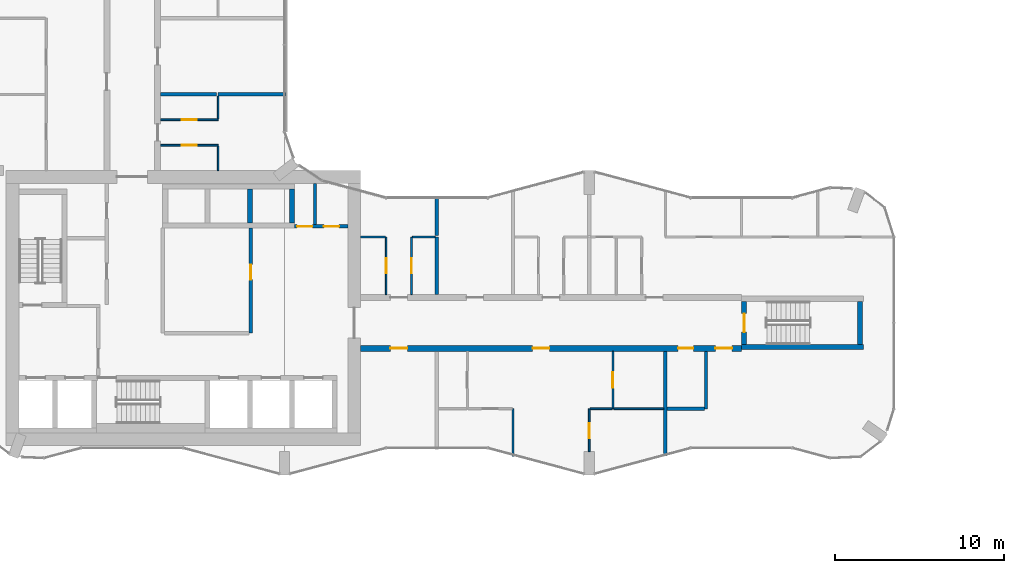
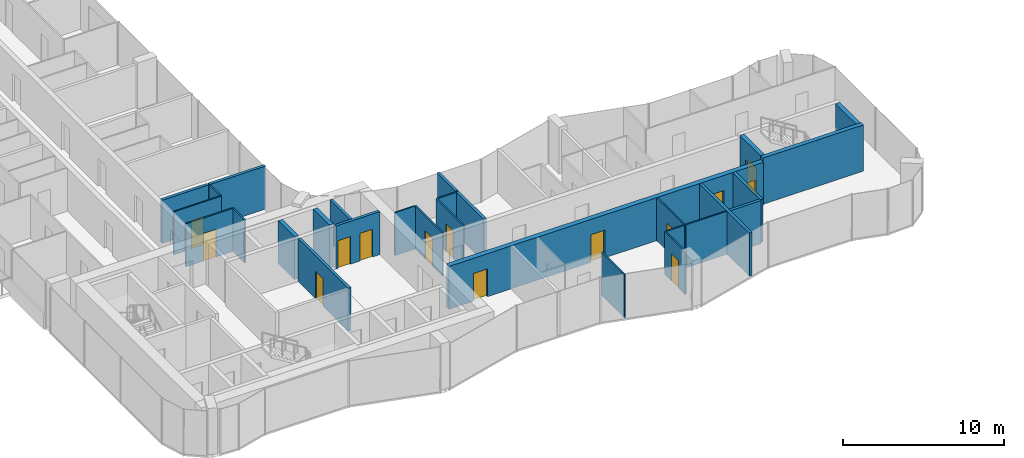
# One storey, part 15 of 24: 29 walls, 14 doors, 14 openings.
"""IFC4 building model written with IfcOpenShell, lengths in metres."""

from ifc_helpers import new_model, si_unit, direction, frame, frame_2d, origin, place, context, subcontext, project, spatial, rectangle, extrude, material, layer, layer_set, type_object, element, fill, save


model = new_model("IFC4")

# Units and contexts
model_context = context("Model", 3, precision=1e-05, world=origin(), true_north=direction((0.0, 1.0)))
body_context = subcontext(model_context, "Body", "Model", "MODEL_VIEW")
ifc_project = project(units=[si_unit("LENGTHUNIT", "METRE"), si_unit("AREAUNIT", "SQUARE_METRE"), si_unit("VOLUMEUNIT", "CUBIC_METRE"), si_unit("PLANEANGLEUNIT", "RADIAN"), si_unit("MASSUNIT", "GRAM", prefix="KILO")], contexts=[model_context])

# Site, building, storey
site_placement = place(None, origin())
site = spatial("IfcSite", under=ifc_project, at=site_placement, CompositionType="ELEMENT")
building_placement = place(site_placement, origin())
building = spatial("IfcBuilding", under=site, at=building_placement, Name="Plateau Cross Towers", CompositionType="ELEMENT")
storey_placement = place(building_placement, frame((0.0, 0.0, 51.300048828125)))
storey = spatial("IfcBuildingStorey", under=building, at=storey_placement, Name="L12", CompositionType="ELEMENT", Elevation=51.300048828125)

# Wall, opening, door
ifc_material_1 = material(Name="Concrete block, plastered both sides", Category="concrete")
ifc_layer_1 = layer(ifc_material_1, 0.199951171875)
ifc_layer_set_1 = layer_set([ifc_layer_1], Name="Concrete block, plastered both sides")
wall_type_1 = type_object("IfcWallType", Name="Core partition 200", PredefinedType="PARTITIONING", material=ifc_layer_set_1)
wall_1_placement = place(storey_placement, frame((16.0, 8.39990234375, 0.0), z_axis=(0.0, 0.0, 1.0), x_axis=(0.0, 1.0, 0.0)))
wall_1 = element("IfcWall", 1, at=wall_1_placement, inside=storey, type_object=wall_type_1, Name="Core partition", PredefinedType="PARTITIONING", context=body_context, shape_type="SweptSolid", body=[
    extrude(rectangle(XDim=6.2001953125, YDim=0.199951171875, at=frame_2d((3.10009765625, 0.0))), origin(), (0.0, 0.0, 1.0), 3.25),
])
opening_1_placement = place(wall_1_placement, frame((3.14990234375, 0.0, 0.0)))
opening_1 = element("IfcOpeningElement", 2, at=opening_1_placement, cuts=wall_1, Name="Opening RD1", PredefinedType="OPENING", context=body_context, shape_type="SweptSolid", body=[
    extrude(rectangle(XDim=0.89990234375, YDim=2.10009765625, at=frame_2d((0.449951171875, 1.050048828125))), frame((0.0, 0.10986328125, 0.0), z_axis=(0.0, -1.0, 0.0), x_axis=(1.0, 0.0, 0.0)), (0.0, 0.0, 1.0), 0.219970703125),
])
ifc_material_2 = material(Name="Timber, fire-resisting leaf", Category="wood")
door_type_1 = type_object("IfcDoorType", Name="Core service door 900", OperationType="NOTDEFINED", PredefinedType="DOOR", material=ifc_material_2)
door_1_placement = place(opening_1_placement, origin())
door_1 = element("IfcDoor", 3, at=door_1_placement, inside=storey, type_object=door_type_1, Name="Core service door RD1", OperationType="SINGLE_SWING_LEFT", OverallHeight=2.10009765625, OverallWidth=0.89990234375, PredefinedType="DOOR", context=body_context, shape_type="SweptSolid", body=[
    extrude(rectangle(XDim=0.89990234375, YDim=2.10009765625, at=frame_2d((0.449951171875, 1.050048828125))), frame((0.0, 0.02490234375, 0.0), z_axis=(0.0, -1.0, 0.0), x_axis=(1.0, 0.0, 0.0)), (0.0, 0.0, 1.0), 0.050048828125),
])
fill(opening_1, door_1)

# Wall, openings, doors
wall_2_placement = place(storey_placement, frame((18.60009765625, 14.699951171875, 0.0), z_axis=(0.0, 0.0, 1.0), x_axis=(1.0, 0.0, 0.0)))
wall_2 = element("IfcWall", 4, at=wall_2_placement, inside=storey, type_object=wall_type_1, Name="Core partition", PredefinedType="PARTITIONING", context=body_context, shape_type="SweptSolid", body=[
    extrude(rectangle(XDim=3.14990234375, YDim=0.199951171875, at=frame_2d((1.574951171875, 0.0))), origin(), (0.0, 0.0, 1.0), 3.25),
])
opening_2_placement = place(wall_2_placement, frame((0.14990234375, 0.0, 0.0)))
opening_2 = element("IfcOpeningElement", 5, at=opening_2_placement, cuts=wall_2, Name="Opening RD2", PredefinedType="OPENING", context=body_context, shape_type="SweptSolid", body=[
    extrude(rectangle(XDim=0.89990234375, YDim=2.10009765625, at=frame_2d((0.449951171875, 1.050048828125))), frame((0.0, 0.10986328125, 0.0), z_axis=(0.0, -1.0, 0.0), x_axis=(1.0, 0.0, 0.0)), (0.0, 0.0, 1.0), 0.219970703125),
])
opening_3_placement = place(wall_2_placement, frame((1.72509765625, 0.0, 0.0)))
opening_3 = element("IfcOpeningElement", 6, at=opening_3_placement, cuts=wall_2, Name="Opening RD2", PredefinedType="OPENING", context=body_context, shape_type="SweptSolid", body=[
    extrude(rectangle(XDim=0.89990234375, YDim=2.10009765625, at=frame_2d((0.449951171875, 1.050048828125))), frame((0.0, 0.10986328125, 0.0), z_axis=(0.0, -1.0, 0.0), x_axis=(1.0, 0.0, 0.0)), (0.0, 0.0, 1.0), 0.219970703125),
])
ifc_material_3 = material(Name="Steel, fire-resisting leaf", Category="steel")
door_type_2 = type_object("IfcDoorType", Name="Core riser door 900", OperationType="NOTDEFINED", PredefinedType="DOOR", material=ifc_material_3)
door_2_placement = place(opening_2_placement, origin())
door_2 = element("IfcDoor", 7, at=door_2_placement, inside=storey, type_object=door_type_2, Name="Core riser door RD2", OperationType="SINGLE_SWING_LEFT", OverallHeight=2.10009765625, OverallWidth=0.89990234375, PredefinedType="DOOR", context=body_context, shape_type="SweptSolid", body=[
    extrude(rectangle(XDim=0.89990234375, YDim=2.10009765625, at=frame_2d((0.449951171875, 1.050048828125))), frame((0.0, 0.02490234375, 0.0), z_axis=(0.0, -1.0, 0.0), x_axis=(1.0, 0.0, 0.0)), (0.0, 0.0, 1.0), 0.050048828125),
])
fill(opening_2, door_2)
door_3_placement = place(opening_3_placement, origin())
door_3 = element("IfcDoor", 8, at=door_3_placement, inside=storey, type_object=door_type_2, Name="Core riser door RD2", OperationType="SINGLE_SWING_LEFT", OverallHeight=2.10009765625, OverallWidth=0.89990234375, PredefinedType="DOOR", context=body_context, shape_type="SweptSolid", body=[
    extrude(rectangle(XDim=0.89990234375, YDim=2.10009765625, at=frame_2d((0.449951171875, 1.050048828125))), frame((0.0, 0.02490234375, 0.0), z_axis=(0.0, -1.0, 0.0), x_axis=(1.0, 0.0, 0.0)), (0.0, 0.0, 1.0), 0.050048828125),
])
fill(opening_3, door_3)

# Walls
wall_3_placement = place(storey_placement, frame((19.800048828125, 14.800048828125, 0.0), z_axis=(0.0, 0.0, 1.0), x_axis=(0.0, 1.0, 0.0)))
element("IfcWall", 9, at=wall_3_placement, inside=storey, type_object=wall_type_1, Name="Core partition", PredefinedType="PARTITIONING", context=body_context, shape_type="SweptSolid", body=[
    extrude(rectangle(XDim=2.449951171875, YDim=0.199951171875, at=frame_2d((1.22509765625, 0.0))), origin(), (0.0, 0.0, 1.0), 3.25),
])
ifc_material_4 = material(Name="Concrete C60/75", Category="concrete")
ifc_layer_2 = layer(ifc_material_4, 0.300048828125)
ifc_layer_set_2 = layer_set([ifc_layer_2], Name="Concrete C60/75")
wall_type_2 = type_object("IfcWallType", Name="Core shaft wall 300", PredefinedType="SHEAR", material=ifc_layer_set_2)
for number, where, z_axis, x_axis, name in (
    (10, (15.949951171875, 14.89990234375, 0.0), (0.0, 0.0, 1.0), (0.0, 1.0, 0.0), "A-nb-v3@L12"),
    (11, (18.449951171875, 14.89990234375, 0.0), (0.0, 0.0, 1.0), (0.0, 1.0, 0.0), "A-nb-v4@L12"),
):
    element("IfcWall", number, at=place(storey_placement, frame(where, z_axis=z_axis, x_axis=x_axis)), inside=storey, type_object=wall_type_2, Name=name, PredefinedType="SHEAR", context=body_context, shape_type="SweptSolid", body=[
        extrude(rectangle(XDim=2.0, YDim=0.300048828125, at=frame_2d((1.0, 0.0))), origin(), (0.0, 0.0, 1.0), 3.25),
    ])

# Wall, openings, doors
ifc_layer_3 = layer(ifc_material_4, 0.35009765625)
ifc_layer_set_3 = layer_set([ifc_layer_3], Name="Concrete C60/75")
wall_type_3 = type_object("IfcWallType", Name="Corridor wall 350", PredefinedType="SHEAR", material=ifc_layer_set_3)
wall_4_placement = place(storey_placement, frame((22.5, 7.5, 0.0), z_axis=(0.0, 0.0, 1.0), x_axis=(1.0, 0.0, 0.0)))
wall_4 = element("IfcWall", 12, at=wall_4_placement, inside=storey, type_object=wall_type_3, Name="A-cw-S1@L12", PredefinedType="SHEAR", context=body_context, shape_type="SweptSolid", body=[
    extrude(rectangle(XDim=22.5, YDim=0.35009765625, at=frame_2d((11.25, 0.0))), origin(), (0.0, 0.0, 1.0), 3.25),
])
opening_4_placement = place(wall_4_placement, frame((1.75, 0.0, 0.0)))
opening_4 = element("IfcOpeningElement", 13, at=opening_4_placement, cuts=wall_4, Name="Opening 12-01", PredefinedType="OPENING", context=body_context, shape_type="SweptSolid", body=[
    extrude(rectangle(XDim=1.0, YDim=2.10009765625, at=frame_2d((0.5, 1.050048828125))), frame((0.0, 0.18505859375, 0.0), z_axis=(0.0, -1.0, 0.0), x_axis=(1.0, 0.0, 0.0)), (0.0, 0.0, 1.0), 0.3701171875),
])
opening_5_placement = place(wall_4_placement, frame((10.14990234375, 0.0, 0.0)))
opening_5 = element("IfcOpeningElement", 14, at=opening_5_placement, cuts=wall_4, Name="Opening 12-02", PredefinedType="OPENING", context=body_context, shape_type="SweptSolid", body=[
    extrude(rectangle(XDim=1.0, YDim=2.10009765625, at=frame_2d((0.5, 1.050048828125))), frame((0.0, 0.18505859375, 0.0), z_axis=(0.0, -1.0, 0.0), x_axis=(1.0, 0.0, 0.0)), (0.0, 0.0, 1.0), 0.3701171875),
])
opening_6_placement = place(wall_4_placement, frame((18.75, 0.0, 0.0)))
opening_6 = element("IfcOpeningElement", 15, at=opening_6_placement, cuts=wall_4, Name="Opening 12-03", PredefinedType="OPENING", context=body_context, shape_type="SweptSolid", body=[
    extrude(rectangle(XDim=0.89990234375, YDim=2.10009765625, at=frame_2d((0.449951171875, 1.050048828125))), frame((0.0, 0.18505859375, 0.0), z_axis=(0.0, -1.0, 0.0), x_axis=(1.0, 0.0, 0.0)), (0.0, 0.0, 1.0), 0.3701171875),
])
opening_7_placement = place(wall_4_placement, frame((20.949951171875, 0.0, 0.0)))
opening_7 = element("IfcOpeningElement", 16, at=opening_7_placement, cuts=wall_4, Name="Opening 12-04", PredefinedType="OPENING", context=body_context, shape_type="SweptSolid", body=[
    extrude(rectangle(XDim=1.0, YDim=2.10009765625, at=frame_2d((0.5, 1.050048828125))), frame((0.0, 0.18505859375, 0.0), z_axis=(0.0, -1.0, 0.0), x_axis=(1.0, 0.0, 0.0)), (0.0, 0.0, 1.0), 0.3701171875),
])
door_type_3 = type_object("IfcDoorType", Name="Flat entrance door 1000", OperationType="NOTDEFINED", PredefinedType="DOOR", material=ifc_material_2)
door_4_placement = place(opening_4_placement, origin())
door_4 = element("IfcDoor", 17, at=door_4_placement, inside=storey, type_object=door_type_3, Name="Door 12-01", OperationType="SINGLE_SWING_LEFT", OverallHeight=2.10009765625, OverallWidth=1.0, PredefinedType="DOOR", context=body_context, shape_type="SweptSolid", body=[
    extrude(rectangle(XDim=1.0, YDim=2.10009765625, at=frame_2d((0.5, 1.050048828125))), frame((0.0, 0.02490234375, 0.0), z_axis=(0.0, -1.0, 0.0), x_axis=(1.0, 0.0, 0.0)), (0.0, 0.0, 1.0), 0.050048828125),
])
fill(opening_4, door_4)
door_5_placement = place(opening_5_placement, origin())
door_5 = element("IfcDoor", 18, at=door_5_placement, inside=storey, type_object=door_type_3, Name="Door 12-02", OperationType="SINGLE_SWING_LEFT", OverallHeight=2.10009765625, OverallWidth=1.0, PredefinedType="DOOR", context=body_context, shape_type="SweptSolid", body=[
    extrude(rectangle(XDim=1.0, YDim=2.10009765625, at=frame_2d((0.5, 1.050048828125))), frame((0.0, 0.02490234375, 0.0), z_axis=(0.0, -1.0, 0.0), x_axis=(1.0, 0.0, 0.0)), (0.0, 0.0, 1.0), 0.050048828125),
])
fill(opening_5, door_5)
door_6_placement = place(opening_7_placement, origin())
door_6 = element("IfcDoor", 19, at=door_6_placement, inside=storey, type_object=door_type_3, Name="Door 12-04", OperationType="SINGLE_SWING_RIGHT", OverallHeight=2.10009765625, OverallWidth=1.0, PredefinedType="DOOR", context=body_context, shape_type="SweptSolid", body=[
    extrude(rectangle(XDim=1.0, YDim=2.10009765625, at=frame_2d((0.5, 1.050048828125))), frame((0.0, 0.02490234375, 0.0), z_axis=(0.0, -1.0, 0.0), x_axis=(1.0, 0.0, 0.0)), (0.0, 0.0, 1.0), 0.050048828125),
])
fill(opening_7, door_6)
door_type_4 = type_object("IfcDoorType", Name="Flat floor service door 900", OperationType="NOTDEFINED", PredefinedType="DOOR", material=ifc_material_2)
door_7_placement = place(opening_6_placement, origin())
door_7 = element("IfcDoor", 20, at=door_7_placement, inside=storey, type_object=door_type_4, Name="Door 12-03", OperationType="SINGLE_SWING_RIGHT", OverallHeight=2.10009765625, OverallWidth=0.89990234375, PredefinedType="DOOR", context=body_context, shape_type="SweptSolid", body=[
    extrude(rectangle(XDim=0.89990234375, YDim=2.10009765625, at=frame_2d((0.449951171875, 1.050048828125))), frame((0.0, 0.02490234375, 0.0), z_axis=(0.0, -1.0, 0.0), x_axis=(1.0, 0.0, 0.0)), (0.0, 0.0, 1.0), 0.050048828125),
])
fill(opening_6, door_7)

# Walls
ifc_material_5 = material(Name="Gypsum board on steel studs", Category="steel")
ifc_layer_4 = layer(ifc_material_5, 0.10009765625)
ifc_layer_set_4 = layer_set([ifc_layer_4], Name="Gypsum board on steel studs")
wall_type_4 = type_object("IfcWallType", Name="Flat partition 100", PredefinedType="PARTITIONING", material=ifc_layer_set_4)
wall_5_placement = place(storey_placement, frame((37.35009765625, 3.925048828125, 0.0), z_axis=(0.0, 0.0, 1.0), x_axis=(-1.0, 0.0, 0.0)))
element("IfcWall", 21, at=wall_5_placement, inside=storey, type_object=wall_type_4, Name="Partition wall", PredefinedType="PARTITIONING", context=body_context, shape_type="SweptSolid", body=[
    extrude(rectangle(XDim=1.300048828125, YDim=0.10009765625, at=frame_2d((0.64990234375, 0.0))), origin(), (0.0, 0.0, 1.0), 3.25),
])
wall_6_placement = place(storey_placement, frame((37.449951171875, 3.925048828125, 0.0), z_axis=(0.0, 0.0, 1.0), x_axis=(1.0, 0.0, 0.0)))
element("IfcWall", 22, at=wall_6_placement, inside=storey, type_object=wall_type_4, Name="Partition wall", PredefinedType="PARTITIONING", context=body_context, shape_type="SweptSolid", body=[
    extrude(rectangle(XDim=2.949951171875, YDim=0.10009765625, at=frame_2d((1.47509765625, 0.0))), origin(), (0.0, 0.0, 1.0), 3.25),
])
wall_7_placement = place(storey_placement, frame((23.949951171875, 14.074951171875, 0.0), z_axis=(0.0, 0.0, 1.0), x_axis=(-1.0, 0.0, 0.0)))
element("IfcWall", 23, at=wall_7_placement, inside=storey, type_object=wall_type_4, Name="Partition wall", PredefinedType="PARTITIONING", context=body_context, shape_type="SweptSolid", body=[
    extrude(rectangle(XDim=1.449951171875, YDim=0.10009765625, at=frame_2d((0.72509765625, 0.0))), origin(), (0.0, 0.0, 1.0), 3.25),
])
wall_8_placement = place(storey_placement, frame((26.89990234375, 14.074951171875, 0.0), z_axis=(0.0, 0.0, 1.0), x_axis=(-1.0, 0.0, 0.0)))
element("IfcWall", 24, at=wall_8_placement, inside=storey, type_object=wall_type_4, Name="Partition wall", PredefinedType="PARTITIONING", context=body_context, shape_type="SweptSolid", body=[
    extrude(rectangle(XDim=1.349853515625, YDim=0.10009765625, at=frame_2d((0.6748046875, 0.0))), origin(), (0.0, 0.0, 1.0), 3.25),
])

# Wall, opening, door
wall_9_placement = place(storey_placement, frame((14.074951171875, 19.5, 0.0), z_axis=(0.0, 0.0, 1.0), x_axis=(-1.0, 0.0, 0.0)))
wall_9 = element("IfcWall", 25, at=wall_9_placement, inside=storey, type_object=wall_type_4, Name="Partition wall", PredefinedType="PARTITIONING", context=body_context, shape_type="SweptSolid", body=[
    extrude(rectangle(XDim=3.39990234375, YDim=0.10009765625, at=frame_2d((1.699951171875, 0.0))), origin(), (0.0, 0.0, 1.0), 3.25),
])
opening_8_placement = place(wall_9_placement, frame((1.25, 0.0, 0.0)))
opening_8 = element("IfcOpeningElement", 26, at=opening_8_placement, cuts=wall_9, Name="Opening 12-40", PredefinedType="OPENING", context=body_context, shape_type="SweptSolid", body=[
    extrude(rectangle(XDim=0.89990234375, YDim=2.10009765625, at=frame_2d((0.449951171875, 1.050048828125))), frame((0.0, 0.06005859375, 0.0), z_axis=(0.0, -1.0, 0.0), x_axis=(1.0, 0.0, 0.0)), (0.0, 0.0, 1.0), 0.1201171875),
])
ifc_material_6 = material(Name="Timber leaf", Category="wood")
door_type_5 = type_object("IfcDoorType", Name="Flat room door 900", OperationType="NOTDEFINED", PredefinedType="DOOR", material=ifc_material_6)
door_8_placement = place(opening_8_placement, origin())
door_8 = element("IfcDoor", 27, at=door_8_placement, inside=storey, type_object=door_type_5, Name="Door 12-40", OperationType="SINGLE_SWING_RIGHT", OverallHeight=2.10009765625, OverallWidth=0.89990234375, PredefinedType="DOOR", context=body_context, shape_type="SweptSolid", body=[
    extrude(rectangle(XDim=0.89990234375, YDim=2.10009765625, at=frame_2d((0.449951171875, 1.050048828125))), frame((0.0, 0.02490234375, 0.0), z_axis=(0.0, -1.0, 0.0), x_axis=(1.0, 0.0, 0.0)), (0.0, 0.0, 1.0), 0.050048828125),
])
fill(opening_8, door_8)

wall_10_placement = place(storey_placement, frame((10.675048828125, 21.0, 0.0), z_axis=(0.0, 0.0, 1.0), x_axis=(1.0, 0.0, 0.0)))
wall_10 = element("IfcWall", 28, at=wall_10_placement, inside=storey, type_object=wall_type_4, Name="Partition wall", PredefinedType="PARTITIONING", context=body_context, shape_type="SweptSolid", body=[
    extrude(rectangle(XDim=3.39990234375, YDim=0.10009765625, at=frame_2d((1.699951171875, 0.0))), origin(), (0.0, 0.0, 1.0), 3.25),
])
opening_9_placement = place(wall_10_placement, frame((1.25, 0.0, 0.0)))
opening_9 = element("IfcOpeningElement", 29, at=opening_9_placement, cuts=wall_10, Name="Opening 12-41", PredefinedType="OPENING", context=body_context, shape_type="SweptSolid", body=[
    extrude(rectangle(XDim=0.89990234375, YDim=2.10009765625, at=frame_2d((0.449951171875, 1.050048828125))), frame((0.0, 0.06005859375, 0.0), z_axis=(0.0, -1.0, 0.0), x_axis=(1.0, 0.0, 0.0)), (0.0, 0.0, 1.0), 0.1201171875),
])
door_9_placement = place(opening_9_placement, origin())
door_9 = element("IfcDoor", 30, at=door_9_placement, inside=storey, type_object=door_type_5, Name="Door 12-41", OperationType="SINGLE_SWING_RIGHT", OverallHeight=2.10009765625, OverallWidth=0.89990234375, PredefinedType="DOOR", context=body_context, shape_type="SweptSolid", body=[
    extrude(rectangle(XDim=0.89990234375, YDim=2.10009765625, at=frame_2d((0.449951171875, 1.050048828125))), frame((0.0, 0.02490234375, 0.0), z_axis=(0.0, -1.0, 0.0), x_axis=(1.0, 0.0, 0.0)), (0.0, 0.0, 1.0), 0.050048828125),
])
fill(opening_9, door_9)

# Walls
wall_11_placement = place(storey_placement, frame((14.074951171875, 18.0, 0.0), z_axis=(0.0, 0.0, 1.0), x_axis=(0.0, 1.0, 0.0)))
element("IfcWall", 31, at=wall_11_placement, inside=storey, type_object=wall_type_4, Name="Partition wall", PredefinedType="PARTITIONING", context=body_context, shape_type="SweptSolid", body=[
    extrude(rectangle(XDim=1.449951171875, YDim=0.10009765625, at=frame_2d((0.72509765625, 0.0))), origin(), (0.0, 0.0, 1.0), 3.25),
])
wall_12_placement = place(storey_placement, frame((14.074951171875, 21.050048828125, 0.0), z_axis=(0.0, 0.0, 1.0), x_axis=(0.0, 1.0, 0.0)))
element("IfcWall", 32, at=wall_12_placement, inside=storey, type_object=wall_type_4, Name="Partition wall", PredefinedType="PARTITIONING", context=body_context, shape_type="SweptSolid", body=[
    extrude(rectangle(XDim=1.349853515625, YDim=0.10009765625, at=frame_2d((0.6748046875, 0.0))), origin(), (0.0, 0.0, 1.0), 3.25),
])

# Wall, opening, door
wall_13_placement = place(storey_placement, frame((24.0, 10.675048828125, 0.0), z_axis=(0.0, 0.0, 1.0), x_axis=(0.0, 1.0, 0.0)))
wall_13 = element("IfcWall", 33, at=wall_13_placement, inside=storey, type_object=wall_type_4, Name="Partition wall", PredefinedType="PARTITIONING", context=body_context, shape_type="SweptSolid", body=[
    extrude(rectangle(XDim=3.39990234375, YDim=0.10009765625, at=frame_2d((1.699951171875, 0.0))), origin(), (0.0, 0.0, 1.0), 3.25),
])
opening_10_placement = place(wall_13_placement, frame((1.25, 0.0, 0.0)))
opening_10 = element("IfcOpeningElement", 34, at=opening_10_placement, cuts=wall_13, Name="Opening 12-23", PredefinedType="OPENING", context=body_context, shape_type="SweptSolid", body=[
    extrude(rectangle(XDim=0.89990234375, YDim=2.10009765625, at=frame_2d((0.449951171875, 1.050048828125))), frame((0.0, 0.06005859375, 0.0), z_axis=(0.0, -1.0, 0.0), x_axis=(1.0, 0.0, 0.0)), (0.0, 0.0, 1.0), 0.1201171875),
])
door_10_placement = place(opening_10_placement, origin())
door_10 = element("IfcDoor", 35, at=door_10_placement, inside=storey, type_object=door_type_5, Name="Door 12-23", OperationType="SINGLE_SWING_RIGHT", OverallHeight=2.10009765625, OverallWidth=0.89990234375, PredefinedType="DOOR", context=body_context, shape_type="SweptSolid", body=[
    extrude(rectangle(XDim=0.89990234375, YDim=2.10009765625, at=frame_2d((0.449951171875, 1.050048828125))), frame((0.0, 0.02490234375, 0.0), z_axis=(0.0, -1.0, 0.0), x_axis=(1.0, 0.0, 0.0)), (0.0, 0.0, 1.0), 0.050048828125),
])
fill(opening_10, door_10)

wall_14_placement = place(storey_placement, frame((25.5, 14.074951171875, 0.0), z_axis=(0.0, 0.0, 1.0), x_axis=(0.0, -1.0, 0.0)))
wall_14 = element("IfcWall", 36, at=wall_14_placement, inside=storey, type_object=wall_type_4, Name="Partition wall", PredefinedType="PARTITIONING", context=body_context, shape_type="SweptSolid", body=[
    extrude(rectangle(XDim=3.39990234375, YDim=0.10009765625, at=frame_2d((1.699951171875, 0.0))), origin(), (0.0, 0.0, 1.0), 3.25),
])
opening_11_placement = place(wall_14_placement, frame((1.25, 0.0, 0.0)))
opening_11 = element("IfcOpeningElement", 37, at=opening_11_placement, cuts=wall_14, Name="Opening 12-24", PredefinedType="OPENING", context=body_context, shape_type="SweptSolid", body=[
    extrude(rectangle(XDim=0.89990234375, YDim=2.10009765625, at=frame_2d((0.449951171875, 1.050048828125))), frame((0.0, 0.06005859375, 0.0), z_axis=(0.0, -1.0, 0.0), x_axis=(1.0, 0.0, 0.0)), (0.0, 0.0, 1.0), 0.1201171875),
])
door_11_placement = place(opening_11_placement, origin())
door_11 = element("IfcDoor", 38, at=door_11_placement, inside=storey, type_object=door_type_5, Name="Door 12-24", OperationType="SINGLE_SWING_RIGHT", OverallHeight=2.10009765625, OverallWidth=0.89990234375, PredefinedType="DOOR", context=body_context, shape_type="SweptSolid", body=[
    extrude(rectangle(XDim=0.89990234375, YDim=2.10009765625, at=frame_2d((0.449951171875, 1.050048828125))), frame((0.0, 0.02490234375, 0.0), z_axis=(0.0, -1.0, 0.0), x_axis=(1.0, 0.0, 0.0)), (0.0, 0.0, 1.0), 0.050048828125),
])
fill(opening_11, door_11)

# Wall
wall_15_placement = place(storey_placement, frame((31.5, 1.122314453125, 0.0), z_axis=(0.0, 0.0, 1.0), x_axis=(0.0, 1.0, 0.0)))
element("IfcWall", 39, at=wall_15_placement, inside=storey, type_object=wall_type_4, Name="Partition wall", PredefinedType="PARTITIONING", context=body_context, shape_type="SweptSolid", body=[
    extrude(rectangle(XDim=2.802734375, YDim=0.10009765625, at=frame_2d((1.4013671875, 0.0))), origin(), (0.0, 0.0, 1.0), 3.25),
])

# Wall, opening, door
wall_16_placement = place(storey_placement, frame((36.0, 3.925048828125, 0.0), z_axis=(0.0, 0.0, 1.0), x_axis=(0.0, -1.0, 0.0)))
wall_16 = element("IfcWall", 40, at=wall_16_placement, inside=storey, type_object=wall_type_4, Name="Partition wall", PredefinedType="PARTITIONING", context=body_context, shape_type="SweptSolid", body=[
    extrude(rectangle(XDim=2.525146484375, YDim=0.10009765625, at=frame_2d((1.2626953125, 0.0))), origin(), (0.0, 0.0, 1.0), 3.25),
])
opening_12_placement = place(wall_16_placement, frame((0.85009765625, 0.0, 0.0)))
opening_12 = element("IfcOpeningElement", 41, at=opening_12_placement, cuts=wall_16, Name="Opening 12-22", PredefinedType="OPENING", context=body_context, shape_type="SweptSolid", body=[
    extrude(rectangle(XDim=0.89990234375, YDim=2.10009765625, at=frame_2d((0.449951171875, 1.050048828125))), frame((0.0, 0.06005859375, 0.0), z_axis=(0.0, -1.0, 0.0), x_axis=(1.0, 0.0, 0.0)), (0.0, 0.0, 1.0), 0.1201171875),
])
door_12_placement = place(opening_12_placement, origin())
door_12 = element("IfcDoor", 42, at=door_12_placement, inside=storey, type_object=door_type_5, Name="Door 12-22", OperationType="SINGLE_SWING_RIGHT", OverallHeight=2.10009765625, OverallWidth=0.89990234375, PredefinedType="DOOR", context=body_context, shape_type="SweptSolid", body=[
    extrude(rectangle(XDim=0.89990234375, YDim=2.10009765625, at=frame_2d((0.449951171875, 1.050048828125))), frame((0.0, 0.02490234375, 0.0), z_axis=(0.0, -1.0, 0.0), x_axis=(1.0, 0.0, 0.0)), (0.0, 0.0, 1.0), 0.050048828125),
])
fill(opening_12, door_12)

wall_17_placement = place(storey_placement, frame((37.39990234375, 7.324951171875, 0.0), z_axis=(0.0, 0.0, 1.0), x_axis=(0.0, -1.0, 0.0)))
wall_17 = element("IfcWall", 43, at=wall_17_placement, inside=storey, type_object=wall_type_4, Name="Partition wall", PredefinedType="PARTITIONING", context=body_context, shape_type="SweptSolid", body=[
    extrude(rectangle(XDim=3.39990234375, YDim=0.10009765625, at=frame_2d((1.699951171875, 0.0))), origin(), (0.0, 0.0, 1.0), 3.25),
])
opening_13_placement = place(wall_17_placement, frame((1.25, 0.0, 0.0)))
opening_13 = element("IfcOpeningElement", 44, at=opening_13_placement, cuts=wall_17, Name="Opening 12-20", PredefinedType="OPENING", context=body_context, shape_type="SweptSolid", body=[
    extrude(rectangle(XDim=0.89990234375, YDim=2.10009765625, at=frame_2d((0.449951171875, 1.050048828125))), frame((0.0, 0.06005859375, 0.0), z_axis=(0.0, -1.0, 0.0), x_axis=(1.0, 0.0, 0.0)), (0.0, 0.0, 1.0), 0.1201171875),
])
door_13_placement = place(opening_13_placement, origin())
door_13 = element("IfcDoor", 45, at=door_13_placement, inside=storey, type_object=door_type_5, Name="Door 12-20", OperationType="SINGLE_SWING_LEFT", OverallHeight=2.10009765625, OverallWidth=0.89990234375, PredefinedType="DOOR", context=body_context, shape_type="SweptSolid", body=[
    extrude(rectangle(XDim=0.89990234375, YDim=2.10009765625, at=frame_2d((0.449951171875, 1.050048828125))), frame((0.0, 0.02490234375, 0.0), z_axis=(0.0, -1.0, 0.0), x_axis=(1.0, 0.0, 0.0)), (0.0, 0.0, 1.0), 0.050048828125),
])
fill(opening_13, door_13)

# Walls
ifc_material_7 = material(Name="Gypsum board on steel studs, two layers each side", Category="steel")
ifc_layer_5 = layer(ifc_material_7, 0.199951171875)
ifc_layer_set_5 = layer_set([ifc_layer_5], Name="Gypsum board on steel studs, two layers each side")
wall_type_5 = type_object("IfcWallType", Name="Flat party wall 200", PredefinedType="PARTITIONING", material=ifc_layer_set_5)
wall_18_placement = place(storey_placement, frame((40.60009765625, 3.925048828125, 0.0), z_axis=(0.0, 0.0, 1.0), x_axis=(1.0, 0.0, 0.0)))
element("IfcWall", 46, at=wall_18_placement, inside=storey, type_object=wall_type_5, Name="Party wall", PredefinedType="PARTITIONING", context=body_context, shape_type="SweptSolid", body=[
    extrude(rectangle(XDim=2.199951171875, YDim=0.199951171875, at=frame_2d((1.10009765625, 0.0))), origin(), (0.0, 0.0, 1.0), 3.25),
])
wall_19_placement = place(storey_placement, frame((13.97509765625, 22.5, 0.0), z_axis=(0.0, 0.0, 1.0), x_axis=(-1.0, 0.0, 0.0)))
element("IfcWall", 47, at=wall_19_placement, inside=storey, type_object=wall_type_5, Name="Party wall", PredefinedType="PARTITIONING", context=body_context, shape_type="SweptSolid", body=[
    extrude(rectangle(XDim=3.300048828125, YDim=0.199951171875, at=frame_2d((1.64990234375, 0.0))), origin(), (0.0, 0.0, 1.0), 3.25),
])
wall_20_placement = place(storey_placement, frame((14.074951171875, 22.5, 0.0), z_axis=(0.0, 0.0, 1.0), x_axis=(1.0, 0.0, 0.0)))
element("IfcWall", 48, at=wall_20_placement, inside=storey, type_object=wall_type_5, Name="Party wall", PredefinedType="PARTITIONING", context=body_context, shape_type="SweptSolid", body=[
    extrude(rectangle(XDim=4.005126953125, YDim=0.199951171875, at=frame_2d((2.00244140625, 0.0))), origin(), (0.0, 0.0, 1.0), 3.25),
])
wall_21_placement = place(storey_placement, frame((27.0, 16.47314453125, 0.0), z_axis=(0.0, 0.0, 1.0), x_axis=(0.0, -1.0, 0.0)))
element("IfcWall", 49, at=wall_21_placement, inside=storey, type_object=wall_type_5, Name="Party wall", PredefinedType="PARTITIONING", context=body_context, shape_type="SweptSolid", body=[
    extrude(rectangle(XDim=2.298095703125, YDim=0.199951171875, at=frame_2d((1.14892578125, 0.0))), origin(), (0.0, 0.0, 1.0), 3.25),
])
wall_22_placement = place(storey_placement, frame((27.0, 10.675048828125, 0.0), z_axis=(0.0, 0.0, 1.0), x_axis=(0.0, 1.0, 0.0)))
element("IfcWall", 50, at=wall_22_placement, inside=storey, type_object=wall_type_5, Name="Party wall", PredefinedType="PARTITIONING", context=body_context, shape_type="SweptSolid", body=[
    extrude(rectangle(XDim=3.39990234375, YDim=0.199951171875, at=frame_2d((1.699951171875, 0.0))), origin(), (0.0, 0.0, 1.0), 3.25),
])
wall_23_placement = place(storey_placement, frame((40.5, 1.122314453125, 0.0), z_axis=(0.0, 0.0, 1.0), x_axis=(0.0, 1.0, 0.0)))
element("IfcWall", 51, at=wall_23_placement, inside=storey, type_object=wall_type_5, Name="Party wall", PredefinedType="PARTITIONING", context=body_context, shape_type="SweptSolid", body=[
    extrude(rectangle(XDim=6.20263671875, YDim=0.199951171875, at=frame_2d((3.101318359375, 0.0))), origin(), (0.0, 0.0, 1.0), 3.25),
])
wall_24_placement = place(storey_placement, frame((42.89990234375, 3.925048828125, 0.0), z_axis=(0.0, 0.0, 1.0), x_axis=(0.0, 1.0, 0.0)))
element("IfcWall", 52, at=wall_24_placement, inside=storey, type_object=wall_type_5, Name="Party wall", PredefinedType="PARTITIONING", context=body_context, shape_type="SweptSolid", body=[
    extrude(rectangle(XDim=3.39990234375, YDim=0.199951171875, at=frame_2d((1.699951171875, 0.0))), origin(), (0.0, 0.0, 1.0), 3.25),
])

# Wall, opening, door
ifc_layer_6 = layer(ifc_material_4, 0.300048828125)
ifc_layer_set_6 = layer_set([ifc_layer_6], Name="Concrete C60/75")
wall_type_6 = type_object("IfcWallType", Name="Stair tower wall 300", PredefinedType="SHEAR", material=ifc_layer_set_6)
wall_25_placement = place(storey_placement, frame((45.14990234375, 7.72509765625, 0.0), z_axis=(0.0, 0.0, 1.0), x_axis=(0.0, 1.0, 0.0)))
wall_25 = element("IfcWall", 53, at=wall_25_placement, inside=storey, type_object=wall_type_6, Name="A-end-E-W@L12", PredefinedType="SHEAR", context=body_context, shape_type="SweptSolid", body=[
    extrude(rectangle(XDim=2.5498046875, YDim=0.300048828125, at=frame_2d((1.27490234375, 0.0))), origin(), (0.0, 0.0, 1.0), 3.5),
])
opening_14_placement = place(wall_25_placement, frame((0.72509765625, 0.0, 0.0)))
opening_14 = element("IfcOpeningElement", 54, at=opening_14_placement, cuts=wall_25, Name="Opening SD", PredefinedType="OPENING", context=body_context, shape_type="SweptSolid", body=[
    extrude(rectangle(XDim=1.10009765625, YDim=2.10009765625, at=frame_2d((0.550048828125, 1.050048828125))), frame((0.0, 0.159912109375, 0.0), z_axis=(0.0, -1.0, 0.0), x_axis=(1.0, 0.0, 0.0)), (0.0, 0.0, 1.0), 0.320068359375),
])
door_type_6 = type_object("IfcDoorType", Name="Stair door 1100", OperationType="NOTDEFINED", PredefinedType="DOOR", material=ifc_material_3)
door_14_placement = place(opening_14_placement, origin())
door_14 = element("IfcDoor", 55, at=door_14_placement, inside=storey, type_object=door_type_6, Name="Stair door SD", OperationType="SINGLE_SWING_LEFT", OverallHeight=2.10009765625, OverallWidth=1.10009765625, PredefinedType="DOOR", context=body_context, shape_type="SweptSolid", body=[
    extrude(rectangle(XDim=1.10009765625, YDim=2.10009765625, at=frame_2d((0.550048828125, 1.050048828125))), frame((0.0, 0.02490234375, 0.0), z_axis=(0.0, -1.0, 0.0), x_axis=(1.0, 0.0, 0.0)), (0.0, 0.0, 1.0), 0.050048828125),
])
fill(opening_14, door_14)

# Walls
wall_26_placement = place(storey_placement, frame((52.0, 7.72509765625, 0.0), z_axis=(0.0, 0.0, 1.0), x_axis=(0.0, 1.0, 0.0)))
element("IfcWall", 56, at=wall_26_placement, inside=storey, type_object=wall_type_6, Name="A-end-E-E@L12", PredefinedType="SHEAR", context=body_context, shape_type="SweptSolid", body=[
    extrude(rectangle(XDim=2.5498046875, YDim=0.300048828125, at=frame_2d((1.27490234375, 0.0))), origin(), (0.0, 0.0, 1.0), 3.5),
])
wall_27_placement = place(storey_placement, frame((45.0, 7.574951171875, 0.0), z_axis=(0.0, 0.0, 1.0), x_axis=(1.0, 0.0, 0.0)))
element("IfcWall", 57, at=wall_27_placement, inside=storey, type_object=wall_type_6, Name="A-end-E-S@L12", PredefinedType="SHEAR", context=body_context, shape_type="SweptSolid", body=[
    extrude(rectangle(XDim=7.199951171875, YDim=0.300048828125, at=frame_2d((3.60009765625, 0.0))), origin(), (0.0, 0.0, 1.0), 3.5),
])

save(model, "model.ifc")
